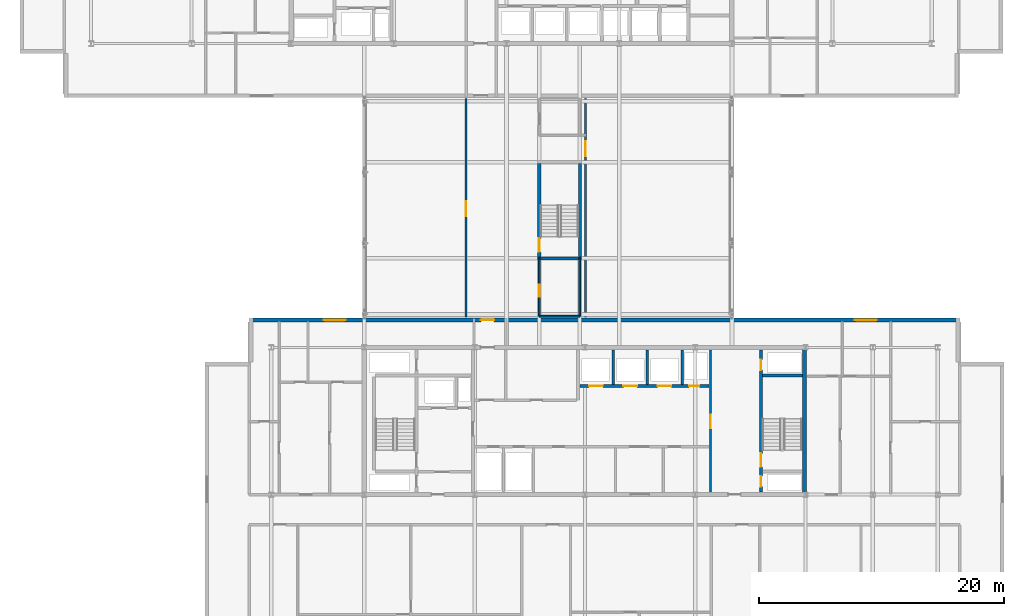
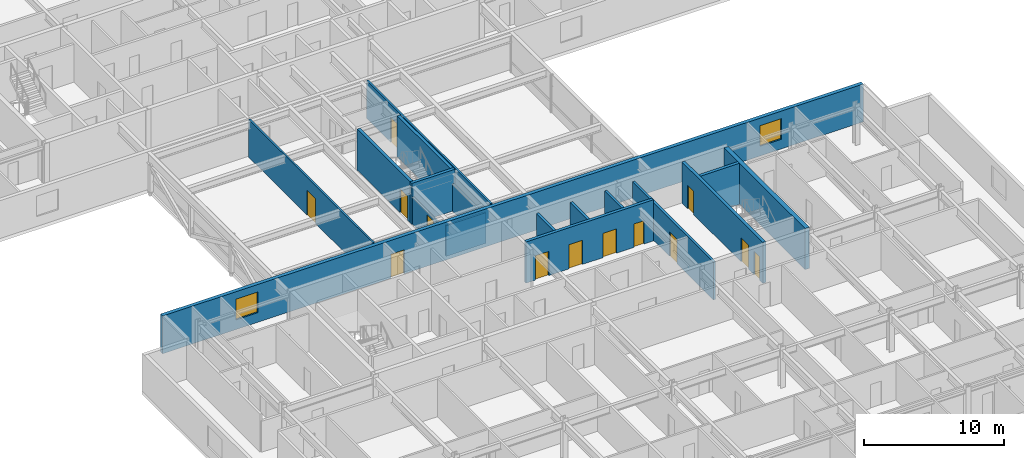
# One storey, part 21 of 36: 17 walls, 13 doors, 2 windows, 15 openings.
"""IFC4 building model written with IfcOpenShell, lengths in metres."""

from ifc_helpers import new_model, si_unit, direction, frame, frame_2d, origin, place, context, subcontext, project, spatial, rectangle, extrude, material, layer, layer_set, type_object, element, fill, save


model = new_model("IFC4")

# Units and contexts
model_context = context("Model", 3, precision=1e-05, world=origin(), true_north=direction((0.0, 1.0)))
body_context = subcontext(model_context, "Body", "Model", "MODEL_VIEW")
ifc_project = project(units=[si_unit("LENGTHUNIT", "METRE"), si_unit("AREAUNIT", "SQUARE_METRE"), si_unit("VOLUMEUNIT", "CUBIC_METRE"), si_unit("PLANEANGLEUNIT", "RADIAN"), si_unit("MASSUNIT", "GRAM", prefix="KILO")], contexts=[model_context])

# Site, building, storey
site_placement = place(None, origin())
site = spatial("IfcSite", under=ifc_project, at=site_placement, CompositionType="ELEMENT")
building_placement = place(site_placement, origin())
building = spatial("IfcBuilding", under=site, at=building_placement, Name="Korimba Cascade Residences", CompositionType="ELEMENT")
storey_placement = place(building_placement, frame((0.0, 0.0, 142.89990234375)))
storey = spatial("IfcBuildingStorey", under=building, at=storey_placement, Name="L41", CompositionType="ELEMENT", Elevation=142.89990234375)

# Wall, openings, door, windows
ifc_material_1 = material(Name="Precast concrete C40/50", Category="concrete")
ifc_layer_1 = layer(ifc_material_1, 0.300048828125)
ifc_layer_set_1 = layer_set([ifc_layer_1], Name="Precast concrete C40/50")
wall_type_1 = type_object("IfcWallType", Name="EW-STONE-300", PredefinedType="STANDARD", material=ifc_layer_set_1)
wall_1_placement = place(storey_placement, frame((130.699951171875, 32.64990234375, 0.0), z_axis=(0.0, 0.0, 1.0), x_axis=(-1.0, 0.0, 0.0)))
wall_1 = element("IfcWall", 1, at=wall_1_placement, inside=storey, type_object=wall_type_1, Name="L41 T2 Perimeter Stone Wall E06", PredefinedType="STANDARD", context=body_context, shape_type="SweptSolid", body=[
    extrude(rectangle(XDim=58.0, YDim=0.300048828125, at=frame_2d((29.0, 0.0))), origin(), (0.0, 0.0, 1.0), 3.31005859375),
])
opening_1_placement = place(wall_1_placement, frame((50.125, 0.0, 0.85009765625)))
opening_1 = element("IfcOpeningElement", 2, at=opening_1_placement, cuts=wall_1, Name="Opening W-02", PredefinedType="OPENING", context=body_context, shape_type="SweptSolid", body=[
    extrude(rectangle(XDim=1.800048828125, YDim=1.800048828125, at=frame_2d((0.89990234375, 0.89990234375))), frame((0.0, 0.16015625, 0.0), z_axis=(0.0, -1.0, 0.0), x_axis=(1.0, 0.0, 0.0)), (0.0, 0.0, 1.0), 0.320068359375),
])
opening_2_placement = place(wall_1_placement, frame((6.77490234375, 0.0, 0.85009765625)))
opening_2 = element("IfcOpeningElement", 3, at=opening_2_placement, cuts=wall_1, Name="Opening W-02", PredefinedType="OPENING", context=body_context, shape_type="SweptSolid", body=[
    extrude(rectangle(XDim=1.800048828125, YDim=1.800048828125, at=frame_2d((0.89990234375, 0.89990234375))), frame((0.0, 0.16015625, 0.0), z_axis=(0.0, -1.0, 0.0), x_axis=(1.0, 0.0, 0.0)), (0.0, 0.0, 1.0), 0.320068359375),
])
opening_3_placement = place(wall_1_placement, frame((38.0, 0.0, 0.0)))
opening_3 = element("IfcOpeningElement", 4, at=opening_3_placement, cuts=wall_1, Name="Opening D-BF1", PredefinedType="OPENING", context=body_context, shape_type="SweptSolid", body=[
    extrude(rectangle(XDim=1.10009765625, YDim=2.10009765625, at=frame_2d((0.550048828125, 1.050048828125))), frame((0.0, 0.16015625, 0.0), z_axis=(0.0, -1.0, 0.0), x_axis=(1.0, 0.0, 0.0)), (0.0, 0.0, 1.0), 0.320068359375),
])
ifc_material_2 = material(Name="Fire-Rated Steel Skybridge Link Door", Category="steel")
door_type_1 = type_object("IfcDoorType", Name="DR-BRG-FD120", OperationType="NOTDEFINED", PredefinedType="DOOR", material=ifc_material_2)
door_1_placement = place(opening_3_placement, origin())
door_1 = element("IfcDoor", 5, at=door_1_placement, inside=storey, type_object=door_type_1, Name="L41 Skybridge to Tower 2 Fire Door", OperationType="SINGLE_SWING_RIGHT", OverallHeight=2.10009765625, OverallWidth=1.10009765625, PredefinedType="DOOR", context=body_context, shape_type="SweptSolid", body=[
    extrude(rectangle(XDim=1.10009765625, YDim=2.10009765625, at=frame_2d((0.550048828125, 1.050048828125))), frame((0.0, 0.02490234375, 0.0), z_axis=(0.0, -1.0, 0.0), x_axis=(1.0, 0.0, 0.0)), (0.0, 0.0, 1.0), 0.050048828125),
])
fill(opening_3, door_1)
ifc_material_3 = material(Name="Double-Glazed Aluminium Window", Category="aluminium")
window_type = type_object("IfcWindowType", Name="WIN-BED-1800", PartitioningType="SINGLE_PANEL", PredefinedType="WINDOW", material=ifc_material_3)
window_1_placement = place(opening_1_placement, origin())
window_1 = element("IfcWindow", 6, at=window_1_placement, inside=storey, type_object=window_type, Name="L41 T2 North Corner Bedroom Window 1", OverallHeight=1.800048828125, OverallWidth=1.800048828125, PartitioningType="SINGLE_PANEL", PredefinedType="WINDOW", context=body_context, shape_type="SweptSolid", body=[
    extrude(rectangle(XDim=1.800048828125, YDim=1.800048828125, at=frame_2d((0.89990234375, 0.89990234375))), frame((0.0, 0.030029296875, 0.0), z_axis=(0.0, -1.0, 0.0), x_axis=(1.0, 0.0, 0.0)), (0.0, 0.0, 1.0), 0.06005859375),
])
fill(opening_1, window_1)
window_2_placement = place(opening_2_placement, origin())
window_2 = element("IfcWindow", 7, at=window_2_placement, inside=storey, type_object=window_type, Name="L41 T2 North Corner Bedroom Window 2", OverallHeight=1.800048828125, OverallWidth=1.800048828125, PartitioningType="SINGLE_PANEL", PredefinedType="WINDOW", context=body_context, shape_type="SweptSolid", body=[
    extrude(rectangle(XDim=1.800048828125, YDim=1.800048828125, at=frame_2d((0.89990234375, 0.89990234375))), frame((0.0, 0.030029296875, 0.0), z_axis=(0.0, -1.0, 0.0), x_axis=(1.0, 0.0, 0.0)), (0.0, 0.0, 1.0), 0.06005859375),
])
fill(opening_2, window_2)

# Walls
ifc_material_4 = material(Name="Concrete C65/80", Category="concrete")
ifc_layer_2 = layer(ifc_material_4, 0.35009765625)
ifc_layer_set_2 = layer_set([ifc_layer_2], Name="Concrete C65/80")
wall_type_2 = type_object("IfcWallType", Name="WAL-CORE-350", PredefinedType="SHEAR", material=ifc_layer_set_2)
wall_2_placement = place(storey_placement, frame((118.014892578125, 18.574951171875, 0.0), z_axis=(0.0, 0.0, 1.0), x_axis=(0.0, 1.0, 0.0)))
element("IfcWall", 8, at=wall_2_placement, inside=storey, type_object=wall_type_2, Name="L41 Core Shear Wall CW-L41-T2-E", PredefinedType="SHEAR", context=body_context, shape_type="SweptSolid", body=[
    extrude(rectangle(XDim=11.650146484375, YDim=0.35009765625, at=frame_2d((5.8251953125, 0.0))), origin(), (0.0, 0.0, 1.0), 3.60009765625),
])
ifc_material_5 = material(Name="Insulated Acoustic Stud Partition", Category="gypsum")
ifc_layer_3 = layer(ifc_material_5, 0.14990234375)
ifc_layer_set_3 = layer_set([ifc_layer_3], Name="Insulated Acoustic Stud Partition")
wall_type_3 = type_object("IfcWallType", Name="WAL-PART-150", PredefinedType="PARTITIONING", material=ifc_layer_set_3)
wall_3_placement = place(storey_placement, frame((96.375, 32.949951171875, 0.0), z_axis=(0.0, 0.0, 1.0), x_axis=(1.0, 0.0, 0.0)))
element("IfcWall", 9, at=wall_3_placement, inside=storey, type_object=wall_type_3, Name="L41 Partition Wall WAL-L41-BRG-WCS1", PredefinedType="PARTITIONING", context=body_context, shape_type="SweptSolid", body=[
    extrude(rectangle(XDim=3.31005859375, YDim=0.14990234375, at=frame_2d((1.655029296875, 0.0))), origin(), (0.0, 0.0, 1.0), 2.68994140625),
])

# Wall, opening, door
wall_4_placement = place(storey_placement, frame((96.375, 32.949951171875, 0.0), z_axis=(0.0, 0.0, 1.0), x_axis=(0.0, 1.0, 0.0)))
wall_4 = element("IfcWall", 10, at=wall_4_placement, inside=storey, type_object=wall_type_3, Name="L41 Partition Wall WAL-L41-BRG-WCW1", PredefinedType="PARTITIONING", context=body_context, shape_type="SweptSolid", body=[
    extrude(rectangle(XDim=4.72509765625, YDim=0.14990234375, at=frame_2d((2.362548828125, 0.0))), origin(), (0.0, 0.0, 1.0), 2.383544921875),
])
opening_4_placement = place(wall_4_placement, frame((1.60009765625, 0.0, 0.0)))
opening_4 = element("IfcOpeningElement", 11, at=opening_4_placement, cuts=wall_4, Name="Opening D-AC1", PredefinedType="OPENING", context=body_context, shape_type="SweptSolid", body=[
    extrude(rectangle(XDim=0.9599609375, YDim=2.10009765625, at=frame_2d((0.47998046875, 1.050048828125))), frame((0.0, 0.0849609375, 0.0), z_axis=(0.0, -1.0, 0.0), x_axis=(1.0, 0.0, 0.0)), (0.0, 0.0, 1.0), 0.169921875),
])
ifc_material_6 = material(Name="Accessible Acoustic Timber WC Door", Category="wood")
door_type_2 = type_object("IfcDoorType", Name="DR-ACC-950", OperationType="NOTDEFINED", PredefinedType="DOOR", material=ifc_material_6)
door_2_placement = place(opening_4_placement, origin())
door_2 = element("IfcDoor", 12, at=door_2_placement, inside=storey, type_object=door_type_2, Name="L41 Skybridge Accessible WC Door", OperationType="SINGLE_SWING_RIGHT", OverallHeight=2.10009765625, OverallWidth=0.9599609375, PredefinedType="DOOR", context=body_context, shape_type="SweptSolid", body=[
    extrude(rectangle(XDim=0.9599609375, YDim=2.10009765625, at=frame_2d((0.47998046875, 1.050048828125))), frame((0.0, 0.02490234375, 0.0), z_axis=(0.0, -1.0, 0.0), x_axis=(1.0, 0.0, 0.0)), (0.0, 0.0, 1.0), 0.050048828125),
])
fill(opening_4, door_2)

# Wall
wall_5_placement = place(storey_placement, frame((99.68505859375, 32.949951171875, 0.0), z_axis=(0.0, 0.0, 1.0), x_axis=(0.0, 1.0, 0.0)))
element("IfcWall", 13, at=wall_5_placement, inside=storey, type_object=wall_type_3, Name="L41 Partition Wall WAL-L41-BRG-EE1", PredefinedType="PARTITIONING", context=body_context, shape_type="SweptSolid", body=[
    extrude(rectangle(XDim=4.72509765625, YDim=0.14990234375, at=frame_2d((2.362548828125, 0.0))), origin(), (0.0, 0.0, 1.0), 2.383544921875),
])

# Wall, opening, door
wall_6_placement = place(storey_placement, frame((90.39990234375, 32.89990234375, 0.0), z_axis=(0.0, 0.0, 1.0), x_axis=(0.0, 1.0, 0.0)))
wall_6 = element("IfcWall", 14, at=wall_6_placement, inside=storey, type_object=wall_type_3, Name="L41 Partition Wall WAL-L41-BRG-CORW", PredefinedType="PARTITIONING", context=body_context, shape_type="SweptSolid", body=[
    extrude(rectangle(XDim=17.800048828125, YDim=0.14990234375, at=frame_2d((8.89990234375, 0.0))), origin(), (0.0, 0.0, 1.0), 3.31005859375),
])
opening_5_placement = place(wall_6_placement, frame((8.199951171875, 0.0, 0.0)))
opening_5 = element("IfcOpeningElement", 15, at=opening_5_placement, cuts=wall_6, Name="Opening D-AM1", PredefinedType="OPENING", context=body_context, shape_type="SweptSolid", body=[
    extrude(rectangle(XDim=1.219970703125, YDim=2.179931640625, at=frame_2d((0.60986328125, 1.08984375))), frame((0.0, 0.0849609375, 0.0), z_axis=(0.0, -1.0, 0.0), x_axis=(1.0, 0.0, 0.0)), (0.0, 0.0, 1.0), 0.169921875),
])
ifc_material_7 = material(Name="Fire-Rated Glazed Timber Suite Door", Category="wood")
door_type_3 = type_object("IfcDoorType", Name="DR-FD60-1200", OperationType="NOTDEFINED", PredefinedType="DOOR", material=ifc_material_7)
door_3_placement = place(opening_5_placement, origin())
door_3 = element("IfcDoor", 16, at=door_3_placement, inside=storey, type_object=door_type_3, Name="L41 Skybridge West Wing Door", OperationType="SINGLE_SWING_RIGHT", OverallHeight=2.179931640625, OverallWidth=1.219970703125, PredefinedType="DOOR", context=body_context, shape_type="SweptSolid", body=[
    extrude(rectangle(XDim=1.219970703125, YDim=2.179931640625, at=frame_2d((0.60986328125, 1.08984375))), frame((0.0, 0.02490234375, 0.0), z_axis=(0.0, -1.0, 0.0), x_axis=(1.0, 0.0, 0.0)), (0.0, 0.0, 1.0), 0.050048828125),
])
fill(opening_5, door_3)

wall_7_placement = place(storey_placement, frame((100.14990234375, 32.89990234375, 0.0), z_axis=(0.0, 0.0, 1.0), x_axis=(0.0, 1.0, 0.0)))
wall_7 = element("IfcWall", 17, at=wall_7_placement, inside=storey, type_object=wall_type_3, Name="L41 Partition Wall WAL-L41-BRG-EE2", PredefinedType="PARTITIONING", context=body_context, shape_type="SweptSolid", body=[
    extrude(rectangle(XDim=17.800048828125, YDim=0.14990234375, at=frame_2d((8.89990234375, 0.0))), origin(), (0.0, 0.0, 1.0), 3.31005859375),
])
opening_6_placement = place(wall_7_placement, frame((13.10009765625, 0.0, 0.0)))
opening_6 = element("IfcOpeningElement", 18, at=opening_6_placement, cuts=wall_7, Name="Opening D-AM1", PredefinedType="OPENING", context=body_context, shape_type="SweptSolid", body=[
    extrude(rectangle(XDim=1.219970703125, YDim=2.179931640625, at=frame_2d((0.60986328125, 1.08984375))), frame((0.0, 0.0849609375, 0.0), z_axis=(0.0, -1.0, 0.0), x_axis=(1.0, 0.0, 0.0)), (0.0, 0.0, 1.0), 0.169921875),
])
door_4_placement = place(opening_6_placement, origin())
door_4 = element("IfcDoor", 19, at=door_4_placement, inside=storey, type_object=door_type_3, Name="L41 Skybridge East Club Door", OperationType="SINGLE_SWING_LEFT", OverallHeight=2.179931640625, OverallWidth=1.219970703125, PredefinedType="DOOR", context=body_context, shape_type="SweptSolid", body=[
    extrude(rectangle(XDim=1.219970703125, YDim=2.179931640625, at=frame_2d((0.60986328125, 1.08984375))), frame((0.0, 0.02490234375, 0.0), z_axis=(0.0, -1.0, 0.0), x_axis=(1.0, 0.0, 0.0)), (0.0, 0.0, 1.0), 0.050048828125),
])
fill(opening_6, door_4)

# Walls
ifc_material_8 = material(Name="Concrete C40/50", Category="concrete")
ifc_layer_4 = layer(ifc_material_8, 0.199951171875)
ifc_layer_set_4 = layer_set([ifc_layer_4], Name="Concrete C40/50")
wall_type_4 = type_object("IfcWallType", Name="WAL-PART-200", PredefinedType="PARTITIONING", material=ifc_layer_set_4)
for number, where, z_axis, x_axis, name in (
    (20, (102.39990234375, 27.3798828125, 0.0), (0.0, 0.0, 1.0), (0.0, 1.0, 0.0), "L41 Partition Wall CW-L41-T2-B2D1"),
    (21, (105.199951171875, 27.3798828125, 0.0), (0.0, 0.0, 1.0), (0.0, 1.0, 0.0), "L41 Partition Wall CW-L41-T2-B2D2"),
    (22, (108.050048828125, 27.3798828125, 0.0), (0.0, 0.0, 1.0), (0.0, 1.0, 0.0), "L41 Partition Wall CW-L41-T2-B2D3"),
):
    element("IfcWall", number, at=place(storey_placement, frame(where, z_axis=z_axis, x_axis=x_axis)), inside=storey, type_object=wall_type_4, Name=name, PredefinedType="PARTITIONING", context=body_context, shape_type="SweptSolid", body=[
        extrude(rectangle(XDim=2.820068359375, YDim=0.199951171875, at=frame_2d((1.41015625, 0.0))), origin(), (0.0, 0.0, 1.0), 3.31005859375),
    ])

# Wall, opening, door
wall_8_placement = place(storey_placement, frame((110.35009765625, 18.60009765625, 0.0), z_axis=(0.0, 0.0, 1.0), x_axis=(0.0, 1.0, 0.0)))
wall_8 = element("IfcWall", 23, at=wall_8_placement, inside=storey, type_object=wall_type_4, Name="L41 Partition Wall CW-L41-T2-LLEV", PredefinedType="PARTITIONING", context=body_context, shape_type="SweptSolid", body=[
    extrude(rectangle(XDim=11.599853515625, YDim=0.199951171875, at=frame_2d((5.7998046875, 0.0))), origin(), (0.0, 0.0, 1.0), 3.31005859375),
])
opening_7_placement = place(wall_8_placement, frame((5.199951171875, 0.0, 0.0)))
opening_7 = element("IfcOpeningElement", 24, at=opening_7_placement, cuts=wall_8, Name="Opening D-FD6", PredefinedType="OPENING", context=body_context, shape_type="SweptSolid", body=[
    extrude(rectangle(XDim=1.10009765625, YDim=2.14990234375, at=frame_2d((0.550048828125, 1.074951171875))), frame((0.0, 0.10986328125, 0.0), z_axis=(0.0, -1.0, 0.0), x_axis=(1.0, 0.0, 0.0)), (0.0, 0.0, 1.0), 0.219970703125),
])
ifc_material_9 = material(Name="Fire-Rated Timber Stair Lobby Door", Category="wood")
door_type_4 = type_object("IfcDoorType", Name="DR-FD90-1100", OperationType="NOTDEFINED", PredefinedType="DOOR", material=ifc_material_9)
door_5_placement = place(opening_7_placement, origin())
door_5 = element("IfcDoor", 25, at=door_5_placement, inside=storey, type_object=door_type_4, Name="L41 T2 Lift Lobby to East Stair Lobby Door", OperationType="SINGLE_SWING_LEFT", OverallHeight=2.14990234375, OverallWidth=1.10009765625, PredefinedType="DOOR", context=body_context, shape_type="SweptSolid", body=[
    extrude(rectangle(XDim=1.10009765625, YDim=2.14990234375, at=frame_2d((0.550048828125, 1.074951171875))), frame((0.0, 0.02490234375, 0.0), z_axis=(0.0, -1.0, 0.0), x_axis=(1.0, 0.0, 0.0)), (0.0, 0.0, 1.0), 0.050048828125),
])
fill(opening_7, door_5)

# Wall, openings, doors
ifc_material_10 = material(Name="Concrete C50/60", Category="concrete")
ifc_layer_5 = layer(ifc_material_10, 0.25)
ifc_layer_set_5 = layer_set([ifc_layer_5], Name="Concrete C50/60")
wall_type_5 = type_object("IfcWallType", Name="WAL-SHAFT-250", PredefinedType="SHEAR", material=ifc_layer_set_5)
wall_9_placement = place(storey_placement, frame((99.679931640625, 27.25, 0.0), z_axis=(0.0, 0.0, 1.0), x_axis=(1.0, 0.0, 0.0)))
wall_9 = element("IfcWall", 26, at=wall_9_placement, inside=storey, type_object=wall_type_5, Name="L41 Core Shear Wall CW-L41-T2-B2S", PredefinedType="SHEAR", context=body_context, shape_type="SweptSolid", body=[
    extrude(rectangle(XDim=10.5400390625, YDim=0.25, at=frame_2d((5.27001953125, 0.0))), origin(), (0.0, 0.0, 1.0), 3.60009765625),
])
opening_8_placement = place(wall_9_placement, frame((0.760009765625, 0.0, 0.0)))
opening_8 = element("IfcOpeningElement", 27, at=opening_8_placement, cuts=wall_9, Name="Opening LD-01", PredefinedType="OPENING", context=body_context, shape_type="SweptSolid", body=[
    extrude(rectangle(XDim=1.1201171875, YDim=2.1201171875, at=frame_2d((0.56005859375, 1.06005859375))), frame((0.0, 0.135009765625, 0.0), z_axis=(0.0, -1.0, 0.0), x_axis=(1.0, 0.0, 0.0)), (0.0, 0.0, 1.0), 0.27001953125),
])
opening_9_placement = place(wall_9_placement, frame((3.56005859375, 0.0, 0.0)))
opening_9 = element("IfcOpeningElement", 28, at=opening_9_placement, cuts=wall_9, Name="Opening LD-01", PredefinedType="OPENING", context=body_context, shape_type="SweptSolid", body=[
    extrude(rectangle(XDim=1.1201171875, YDim=2.1201171875, at=frame_2d((0.56005859375, 1.06005859375))), frame((0.0, 0.135009765625, 0.0), z_axis=(0.0, -1.0, 0.0), x_axis=(1.0, 0.0, 0.0)), (0.0, 0.0, 1.0), 0.27001953125),
])
opening_10_placement = place(wall_9_placement, frame((6.360107421875, 0.0, 0.0)))
opening_10 = element("IfcOpeningElement", 29, at=opening_10_placement, cuts=wall_9, Name="Opening LD-01", PredefinedType="OPENING", context=body_context, shape_type="SweptSolid", body=[
    extrude(rectangle(XDim=1.1201171875, YDim=2.1201171875, at=frame_2d((0.56005859375, 1.06005859375))), frame((0.0, 0.135009765625, 0.0), z_axis=(0.0, -1.0, 0.0), x_axis=(1.0, 0.0, 0.0)), (0.0, 0.0, 1.0), 0.27001953125),
])
opening_11_placement = place(wall_9_placement, frame((8.919921875, 0.0, 0.0)))
opening_11 = element("IfcOpeningElement", 30, at=opening_11_placement, cuts=wall_9, Name="Opening D-RS1", PredefinedType="OPENING", context=body_context, shape_type="SweptSolid", body=[
    extrude(rectangle(XDim=0.85009765625, YDim=2.050048828125, at=frame_2d((0.425048828125, 1.02490234375))), frame((0.0, 0.135009765625, 0.0), z_axis=(0.0, -1.0, 0.0), x_axis=(1.0, 0.0, 0.0)), (0.0, 0.0, 1.0), 0.27001953125),
])
ifc_material_11 = material(Name="Fire-Rated Steel Riser Access Door", Category="steel")
door_type_5 = type_object("IfcDoorType", Name="DR-FD60-850", OperationType="NOTDEFINED", PredefinedType="DOOR", material=ifc_material_11)
door_6_placement = place(opening_11_placement, origin())
door_6 = element("IfcDoor", 31, at=door_6_placement, inside=storey, type_object=door_type_5, Name="L41 T2 Duct Door", OperationType="SINGLE_SWING_RIGHT", OverallHeight=2.050048828125, OverallWidth=0.85009765625, PredefinedType="DOOR", context=body_context, shape_type="SweptSolid", body=[
    extrude(rectangle(XDim=0.85009765625, YDim=2.050048828125, at=frame_2d((0.425048828125, 1.02490234375))), frame((0.0, 0.02490234375, 0.0), z_axis=(0.0, -1.0, 0.0), x_axis=(1.0, 0.0, 0.0)), (0.0, 0.0, 1.0), 0.050048828125),
])
fill(opening_11, door_6)
ifc_material_12 = material(Name="Stainless Steel Lift Landing Sliding Door", Category="steel")
door_type_6 = type_object("IfcDoorType", Name="DR-LIFT-1100", OperationType="NOTDEFINED", PredefinedType="DOOR", material=ifc_material_12)
door_7_placement = place(opening_8_placement, origin())
door_7 = element("IfcDoor", 32, at=door_7_placement, inside=storey, type_object=door_type_6, Name="L41 Lift Landing Door PL-E4", OperationType="SLIDING_TO_RIGHT", OverallHeight=2.1201171875, OverallWidth=1.1201171875, PredefinedType="DOOR", context=body_context, shape_type="SweptSolid", body=[
    extrude(rectangle(XDim=1.1201171875, YDim=2.1201171875, at=frame_2d((0.56005859375, 1.06005859375))), frame((0.0, 0.02490234375, 0.0), z_axis=(0.0, -1.0, 0.0), x_axis=(1.0, 0.0, 0.0)), (0.0, 0.0, 1.0), 0.050048828125),
])
fill(opening_8, door_7)
door_8_placement = place(opening_9_placement, origin())
door_8 = element("IfcDoor", 33, at=door_8_placement, inside=storey, type_object=door_type_6, Name="L41 Lift Landing Door PL-E5", OperationType="SLIDING_TO_RIGHT", OverallHeight=2.1201171875, OverallWidth=1.1201171875, PredefinedType="DOOR", context=body_context, shape_type="SweptSolid", body=[
    extrude(rectangle(XDim=1.1201171875, YDim=2.1201171875, at=frame_2d((0.56005859375, 1.06005859375))), frame((0.0, 0.02490234375, 0.0), z_axis=(0.0, -1.0, 0.0), x_axis=(1.0, 0.0, 0.0)), (0.0, 0.0, 1.0), 0.050048828125),
])
fill(opening_9, door_8)
door_9_placement = place(opening_10_placement, origin())
door_9 = element("IfcDoor", 34, at=door_9_placement, inside=storey, type_object=door_type_6, Name="L41 Lift Landing Door PL-E6", OperationType="SLIDING_TO_RIGHT", OverallHeight=2.1201171875, OverallWidth=1.1201171875, PredefinedType="DOOR", context=body_context, shape_type="SweptSolid", body=[
    extrude(rectangle(XDim=1.1201171875, YDim=2.1201171875, at=frame_2d((0.56005859375, 1.06005859375))), frame((0.0, 0.02490234375, 0.0), z_axis=(0.0, -1.0, 0.0), x_axis=(1.0, 0.0, 0.0)), (0.0, 0.0, 1.0), 0.050048828125),
])
fill(opening_10, door_9)

wall_10_placement = place(storey_placement, frame((114.47509765625, 18.60009765625, 0.0), z_axis=(0.0, 0.0, 1.0), x_axis=(0.0, 1.0, 0.0)))
wall_10 = element("IfcWall", 35, at=wall_10_placement, inside=storey, type_object=wall_type_5, Name="L41 Core Shear Wall CW-L41-T2-STE2W", PredefinedType="SHEAR", context=body_context, shape_type="SweptSolid", body=[
    extrude(rectangle(XDim=11.599853515625, YDim=0.25, at=frame_2d((5.7998046875, 0.0))), origin(), (0.0, 0.0, 1.0), 3.60009765625),
])
opening_12_placement = place(wall_10_placement, frame((0.449951171875, 0.0, 0.0)))
opening_12 = element("IfcOpeningElement", 36, at=opening_12_placement, cuts=wall_10, Name="Opening D-RS1", PredefinedType="OPENING", context=body_context, shape_type="SweptSolid", body=[
    extrude(rectangle(XDim=0.85009765625, YDim=2.050048828125, at=frame_2d((0.425048828125, 1.02490234375))), frame((0.0, 0.135009765625, 0.0), z_axis=(0.0, -1.0, 0.0), x_axis=(1.0, 0.0, 0.0)), (0.0, 0.0, 1.0), 0.27001953125),
])
opening_13_placement = place(wall_10_placement, frame((2.050048828125, 0.0, 0.0)))
opening_13 = element("IfcOpeningElement", 37, at=opening_13_placement, cuts=wall_10, Name="Opening D-FD1", PredefinedType="OPENING", context=body_context, shape_type="SweptSolid", body=[
    extrude(rectangle(XDim=1.10009765625, YDim=2.10009765625, at=frame_2d((0.550048828125, 1.050048828125))), frame((0.0, 0.135009765625, 0.0), z_axis=(0.0, -1.0, 0.0), x_axis=(1.0, 0.0, 0.0)), (0.0, 0.0, 1.0), 0.27001953125),
])
opening_14_placement = place(wall_10_placement, frame((9.949951171875, 0.0, 0.0)))
opening_14 = element("IfcOpeningElement", 38, at=opening_14_placement, cuts=wall_10, Name="Opening D-RS1", PredefinedType="OPENING", context=body_context, shape_type="SweptSolid", body=[
    extrude(rectangle(XDim=0.85009765625, YDim=2.050048828125, at=frame_2d((0.425048828125, 1.02490234375))), frame((0.0, 0.135009765625, 0.0), z_axis=(0.0, -1.0, 0.0), x_axis=(1.0, 0.0, 0.0)), (0.0, 0.0, 1.0), 0.27001953125),
])
ifc_material_13 = material(Name="Fire-Rated Steel Core Door", Category="steel")
door_type_7 = type_object("IfcDoorType", Name="DR-FD120-1100", OperationType="NOTDEFINED", PredefinedType="DOOR", material=ifc_material_13)
door_10_placement = place(opening_13_placement, origin())
door_10 = element("IfcDoor", 39, at=door_10_placement, inside=storey, type_object=door_type_7, Name="L41 Fire Stair ST-E2 Door", OperationType="SINGLE_SWING_LEFT", OverallHeight=2.10009765625, OverallWidth=1.10009765625, PredefinedType="DOOR", context=body_context, shape_type="SweptSolid", body=[
    extrude(rectangle(XDim=1.10009765625, YDim=2.10009765625, at=frame_2d((0.550048828125, 1.050048828125))), frame((0.0, 0.02490234375, 0.0), z_axis=(0.0, -1.0, 0.0), x_axis=(1.0, 0.0, 0.0)), (0.0, 0.0, 1.0), 0.050048828125),
])
fill(opening_13, door_10)
door_11_placement = place(opening_12_placement, origin())
door_11 = element("IfcDoor", 40, at=door_11_placement, inside=storey, type_object=door_type_5, Name="L41 T2 East Hydrant Door", OperationType="SINGLE_SWING_RIGHT", OverallHeight=2.050048828125, OverallWidth=0.85009765625, PredefinedType="DOOR", context=body_context, shape_type="SweptSolid", body=[
    extrude(rectangle(XDim=0.85009765625, YDim=2.050048828125, at=frame_2d((0.425048828125, 1.02490234375))), frame((0.0, 0.02490234375, 0.0), z_axis=(0.0, -1.0, 0.0), x_axis=(1.0, 0.0, 0.0)), (0.0, 0.0, 1.0), 0.050048828125),
])
fill(opening_12, door_11)
door_12_placement = place(opening_14_placement, origin())
door_12 = element("IfcDoor", 41, at=door_12_placement, inside=storey, type_object=door_type_5, Name="L41 T2 East Riser Door", OperationType="SINGLE_SWING_RIGHT", OverallHeight=2.050048828125, OverallWidth=0.85009765625, PredefinedType="DOOR", context=body_context, shape_type="SweptSolid", body=[
    extrude(rectangle(XDim=0.85009765625, YDim=2.050048828125, at=frame_2d((0.425048828125, 1.02490234375))), frame((0.0, 0.02490234375, 0.0), z_axis=(0.0, -1.0, 0.0), x_axis=(1.0, 0.0, 0.0)), (0.0, 0.0, 1.0), 0.050048828125),
])
fill(opening_14, door_12)

# Wall
wall_11_placement = place(storey_placement, frame((114.60009765625, 28.125, 0.0), z_axis=(0.0, 0.0, 1.0), x_axis=(1.0, 0.0, 0.0)))
element("IfcWall", 42, at=wall_11_placement, inside=storey, type_object=wall_type_5, Name="L41 Core Shear Wall CW-L41-T2-STE2N", PredefinedType="SHEAR", context=body_context, shape_type="SweptSolid", body=[
    extrude(rectangle(XDim=3.239990234375, YDim=0.25, at=frame_2d((1.6201171875, 0.0))), origin(), (0.0, 0.0, 1.0), 3.60009765625),
])

# Wall, opening, door
wall_12_placement = place(storey_placement, frame((96.375, 37.800048828125, 0.0), z_axis=(0.0, 0.0, 1.0), x_axis=(0.0, 1.0, 0.0)))
wall_12 = element("IfcWall", 43, at=wall_12_placement, inside=storey, type_object=wall_type_5, Name="L41 Core Shear Wall CW-L41-STBR1W", PredefinedType="SHEAR", context=body_context, shape_type="SweptSolid", body=[
    extrude(rectangle(XDim=7.599853515625, YDim=0.25, at=frame_2d((3.7998046875, 0.0))), origin(), (0.0, 0.0, 1.0), 3.60009765625),
])
opening_15_placement = place(wall_12_placement, frame((0.39990234375, 0.0, 0.0)))
opening_15 = element("IfcOpeningElement", 44, at=opening_15_placement, cuts=wall_12, Name="Opening D-FD1", PredefinedType="OPENING", context=body_context, shape_type="SweptSolid", body=[
    extrude(rectangle(XDim=1.10009765625, YDim=2.10009765625, at=frame_2d((0.550048828125, 1.050048828125))), frame((0.0, 0.135009765625, 0.0), z_axis=(0.0, -1.0, 0.0), x_axis=(1.0, 0.0, 0.0)), (0.0, 0.0, 1.0), 0.27001953125),
])
door_13_placement = place(opening_15_placement, origin())
door_13 = element("IfcDoor", 45, at=door_13_placement, inside=storey, type_object=door_type_7, Name="L41 Skybridge Stair Door", OperationType="SINGLE_SWING_LEFT", OverallHeight=2.10009765625, OverallWidth=1.10009765625, PredefinedType="DOOR", context=body_context, shape_type="SweptSolid", body=[
    extrude(rectangle(XDim=1.10009765625, YDim=2.10009765625, at=frame_2d((0.550048828125, 1.050048828125))), frame((0.0, 0.02490234375, 0.0), z_axis=(0.0, -1.0, 0.0), x_axis=(1.0, 0.0, 0.0)), (0.0, 0.0, 1.0), 0.050048828125),
])
fill(opening_15, door_13)

# Walls
wall_13_placement = place(storey_placement, frame((99.68505859375, 37.800048828125, 0.0), z_axis=(0.0, 0.0, 1.0), x_axis=(0.0, 1.0, 0.0)))
element("IfcWall", 46, at=wall_13_placement, inside=storey, type_object=wall_type_5, Name="L41 Core Shear Wall CW-L41-STBR1E", PredefinedType="SHEAR", context=body_context, shape_type="SweptSolid", body=[
    extrude(rectangle(XDim=7.599853515625, YDim=0.25, at=frame_2d((3.7998046875, 0.0))), origin(), (0.0, 0.0, 1.0), 3.60009765625),
])
wall_14_placement = place(storey_placement, frame((96.25, 37.675048828125, 0.0), z_axis=(0.0, 0.0, 1.0), x_axis=(1.0, 0.0, 0.0)))
element("IfcWall", 47, at=wall_14_placement, inside=storey, type_object=wall_type_5, Name="L41 Core Shear Wall CW-L41-STBR1S", PredefinedType="SHEAR", context=body_context, shape_type="SweptSolid", body=[
    extrude(rectangle(XDim=3.56005859375, YDim=0.25, at=frame_2d((1.780029296875, 0.0))), origin(), (0.0, 0.0, 1.0), 3.60009765625),
])

save(model, "model.ifc")
